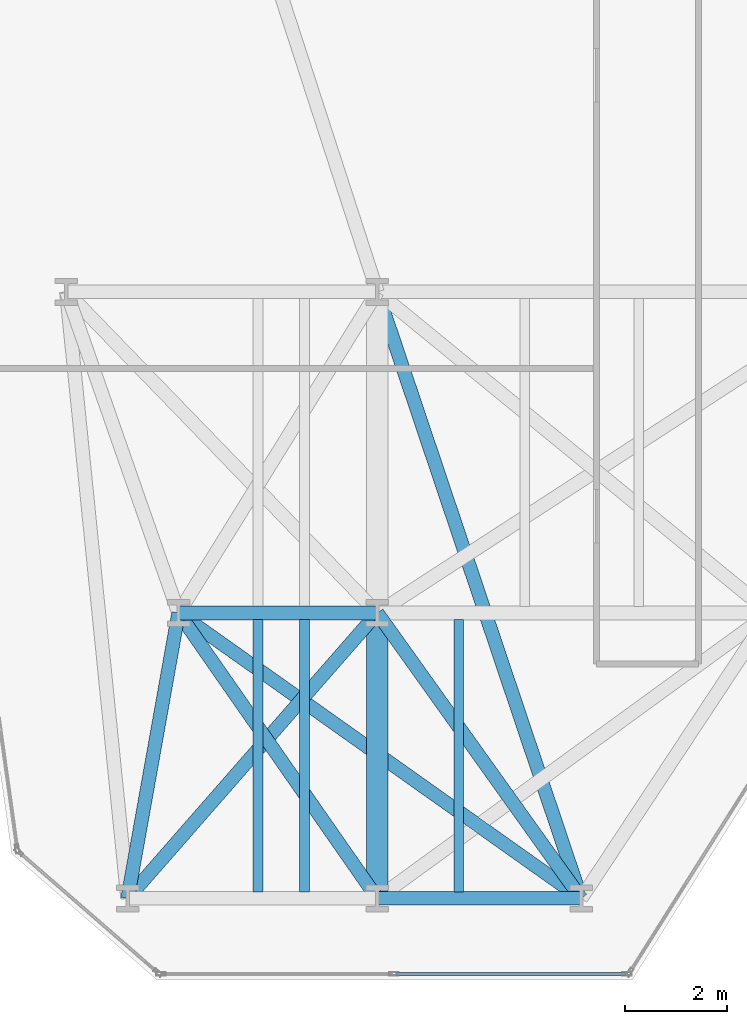
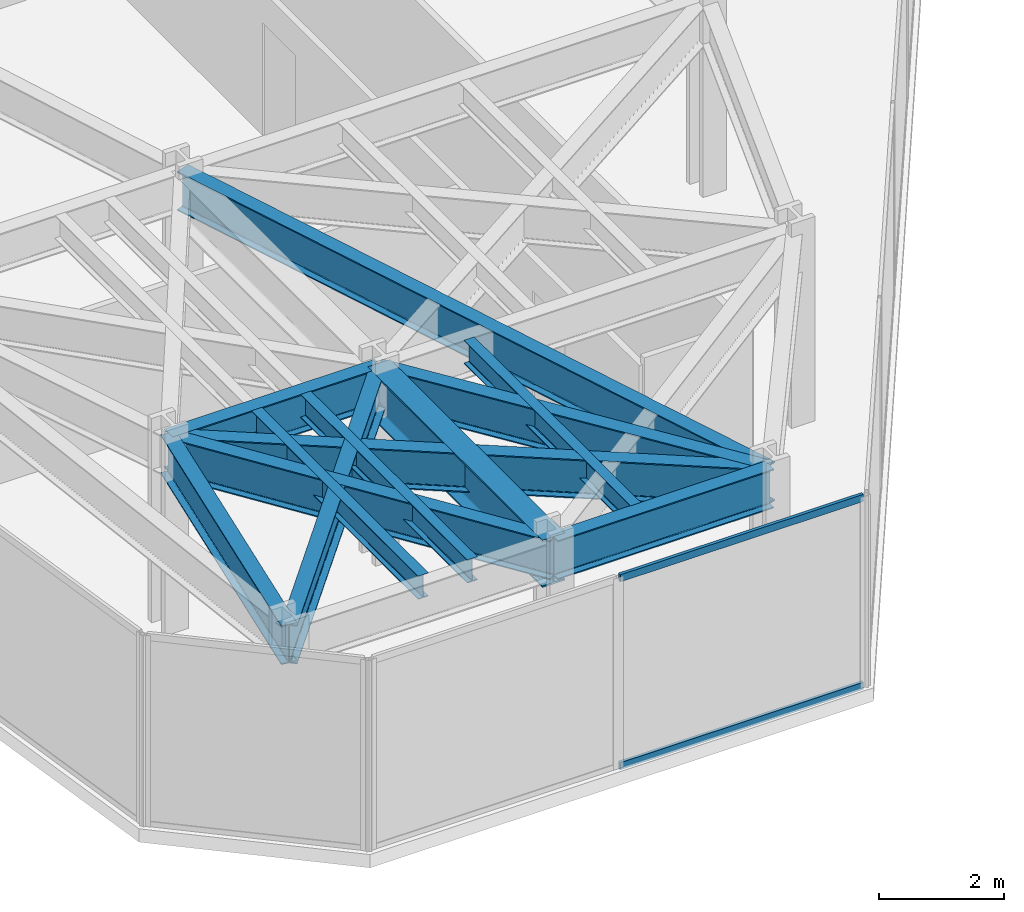
# One storey, part 3 of 24: 12 beams, 2 members, 1 element without a shape of its own.
"""IFC4 building model written with IfcOpenShell, lengths in metres."""

from ifc_helpers import new_model, si_unit, direction, frame, origin, origin_2d, place, context, subcontext, project, spatial, hollow_rectangle, i_section, extrude, material, layer, layer_set, material_profile, profile_set, type_object, element, aggregate, save


model = new_model("IFC4")

# Units and contexts
model_context = context("Model", 3, precision=1e-05, world=origin(), true_north=direction((0.0, 1.0)))
body_context = subcontext(model_context, "Body", "Model", "MODEL_VIEW")
ifc_project = project(units=[si_unit("LENGTHUNIT", "METRE"), si_unit("AREAUNIT", "SQUARE_METRE"), si_unit("VOLUMEUNIT", "CUBIC_METRE"), si_unit("PLANEANGLEUNIT", "RADIAN"), si_unit("MASSUNIT", "GRAM", prefix="KILO")], contexts=[model_context])

# Site, building, storey
site_placement = place(None, origin())
site = spatial("IfcSite", under=ifc_project, at=site_placement, CompositionType="ELEMENT")
building_placement = place(site_placement, origin())
building = spatial("IfcBuilding", under=site, at=building_placement, Name="Kravanh Interchange Tower", CompositionType="ELEMENT")
storey_placement = place(building_placement, frame((0.0, 0.0, 37.5)))
storey = spatial("IfcBuildingStorey", under=building, at=storey_placement, Name="L08", CompositionType="ELEMENT", Elevation=37.5)

# Curtain wall, members
ifc_material_1 = material(Name="Anodised Bronze Aluminium", Category="aluminium")
ifc_layer = layer(ifc_material_1, 0.179931640625)
ifc_layer_set = layer_set([ifc_layer], Name="Unitised Curtain Wall System CW-Z1 Lower Office")
curtain_wall_type = type_object("IfcCurtainWallType", Name="Unitised Curtain Wall System CW-Z1 Lower Office", PredefinedType="NOTDEFINED", material=ifc_layer_set)
curtain_wall_placement = place(storey_placement, origin())
curtain_wall = element("IfcCurtainWall", 1, at=curtain_wall_placement, inside=storey, type_object=curtain_wall_type, Name="L08 Unitised Curtain Wall CW-L08-06", PredefinedType="NOTDEFINED")
ifc_material_2 = material(Name="Anodised Bronze Aluminium", Category="aluminium")
ifc_material_profile_1 = material_profile(ifc_material_2, hollow_rectangle(XDim=0.06005859375, YDim=0.139892578125, WallThickness=0.00390625, at=origin_2d()), Name="ALU60X140X4")
ifc_profile_set_1 = profile_set([ifc_material_profile_1], Name="Anodised Bronze Aluminium")
member_type = type_object("IfcMemberType", Name="Curtain Wall Transom ALU60X140X4 Bronze", PredefinedType="USERDEFINED", material=ifc_profile_set_1)
member_1_placement = place(storey_placement, frame((22.36376953125, 1.1201171875, 0.030029296875), z_axis=(-1.0, 0.0, 0.0), x_axis=(0.0, -1.0, 0.0)))
member_1 = element("IfcMember", 2, at=member_1_placement, type_object=member_type, Name="CW-Z1 transom 1.1", ObjectType="TRANSOM", PredefinedType="USERDEFINED", context=body_context, shape_type="SweptSolid", body=[
    extrude(hollow_rectangle(XDim=0.06005859375, YDim=0.139892578125, WallThickness=0.00390625, at=origin_2d()), origin(), (0.0, 0.0, 1.0), 4.50146484375),
])
member_2_placement = place(storey_placement, frame((22.36376953125, 1.1201171875, 3.7099609375), z_axis=(-1.0, 0.0, 0.0), x_axis=(0.0, -1.0, 0.0)))
member_2 = element("IfcMember", 3, at=member_2_placement, type_object=member_type, Name="CW-Z1 transom 1.2", ObjectType="TRANSOM", PredefinedType="USERDEFINED", context=body_context, shape_type="SweptSolid", body=[
    extrude(hollow_rectangle(XDim=0.06005859375, YDim=0.139892578125, WallThickness=0.00390625, at=origin_2d()), origin(), (0.0, 0.0, 1.0), 4.50146484375),
])
aggregate(curtain_wall, [member_1, member_2])

# Beams
ifc_material_3 = material(Name="Structural Steel S355", Category="steel")
ifc_material_profile_2 = material_profile(ifc_material_3, i_section(OverallWidth=0.41796875, OverallDepth=0.927001953125, WebThickness=0.019287109375, FlangeThickness=0.031982421875, FilletRadius=0.028076171875, at=origin_2d()), Name="W36X231")
ifc_profile_set_2 = profile_set([ifc_material_profile_2], Name="Structural Steel S355")
beam_type_1 = type_object("IfcBeamType", Name="Floor Beam W36X231 Structural Steel S355", PredefinedType="BEAM", material=ifc_profile_set_2)
beam_1_placement = place(storey_placement, frame((17.5, 2.60009765625, 3.276611328125), z_axis=(0.0, 1.0, 0.0), x_axis=(-1.0, 0.0, 0.0)))
element("IfcBeam", 4, at=beam_1_placement, inside=storey, type_object=beam_type_1, Name="L08 Primary Floor Girder 103", PredefinedType="BEAM", context=body_context, shape_type="SweptSolid", body=[
    extrude(i_section(OverallWidth=0.41796875, OverallDepth=0.927001953125, WebThickness=0.019287109375, FlangeThickness=0.031982421875, FilletRadius=0.028076171875, at=origin_2d()), origin(), (0.0, 0.0, 1.0), 5.599853515625),
])
ifc_material_4 = material(Name="Structural Steel S355", Category="steel")
ifc_material_profile_3 = material_profile(ifc_material_4, i_section(OverallWidth=0.18994140625, OverallDepth=0.45703125, WebThickness=0.009033203125, FlangeThickness=0.014404296875, FilletRadius=0.01806640625, at=origin_2d()), Name="W18X50")
ifc_profile_set_3 = profile_set([ifc_material_profile_3], Name="Structural Steel S355")
beam_type_2 = type_object("IfcBeamType", Name="Floor Joist W18X50 Structural Steel S355", PredefinedType="JOIST", material=ifc_profile_set_3)
for number, where, z_axis, x_axis, name in (
    (5, (15.159912109375, 2.728515625, 3.511474609375), (0.0, 1.0, 0.0), (-1.0, 0.0, 0.0), "L08 Secondary Floor Joist 1"),
    (6, (16.070068359375, 2.728515625, 3.511474609375), (0.0, 1.0, 0.0), (-1.0, 0.0, 0.0), "L08 Secondary Floor Joist 2"),
    (7, (19.094970703125, 2.728515625, 3.511474609375), (0.0, 1.0, 0.0), (-1.0, 0.0, 0.0), "L08 Secondary Floor Joist 3"),
):
    element("IfcBeam", number, at=place(storey_placement, frame(where, z_axis=z_axis, x_axis=x_axis)), inside=storey, type_object=beam_type_2, Name=name, PredefinedType="JOIST", context=body_context, shape_type="SweptSolid", body=[
        extrude(i_section(OverallWidth=0.18994140625, OverallDepth=0.45703125, WebThickness=0.009033203125, FlangeThickness=0.014404296875, FilletRadius=0.01806640625, at=origin_2d()), origin(), (0.0, 0.0, 1.0), 5.343017578125),
    ])
ifc_material_5 = material(Name="Structural Steel S355", Category="steel")
ifc_material_profile_4 = material_profile(ifc_material_5, i_section(OverallWidth=0.26708984375, OverallDepth=0.761962890625, WebThickness=0.014404296875, FlangeThickness=0.021484375, FilletRadius=0.02490234375, at=origin_2d()), Name="W30X116")
ifc_profile_set_4 = profile_set([ifc_material_profile_4], Name="Structural Steel S355")
beam_type_3 = type_object("IfcBeamType", Name="Floor Spandrel W30X116 Structural Steel S355", PredefinedType="SPANDREL", material=ifc_profile_set_4)
beam_2_placement = place(storey_placement, frame((12.60009765625, 2.60009765625, 3.35888671875), z_axis=(0.175795094814, 0.984426779725, 0.0), x_axis=(-0.984426779725, 0.175795094814, 0.0)))
element("IfcBeam", 8, at=beam_2_placement, inside=storey, type_object=beam_type_3, Name="L08 Perimeter Spandrel 39", PredefinedType="SPANDREL", context=body_context, shape_type="SweptSolid", body=[
    extrude(i_section(OverallWidth=0.26708984375, OverallDepth=0.761962890625, WebThickness=0.014404296875, FlangeThickness=0.021484375, FilletRadius=0.02490234375, at=origin_2d()), origin(), (0.0, 0.0, 1.0), 5.6884765625),
])
beam_3_placement = place(storey_placement, frame((12.60009765625, 2.60009765625, 3.35888671875), z_axis=(0.658506930733, 0.752574662194, 0.0), x_axis=(-0.752574662194, 0.658506930733, 0.0)))
element("IfcBeam", 9, at=beam_3_placement, inside=storey, type_object=beam_type_3, Name="L08 Perimeter Spandrel 40", PredefinedType="SPANDREL", context=body_context, shape_type="SweptSolid", body=[
    extrude(i_section(OverallWidth=0.26708984375, OverallDepth=0.761962890625, WebThickness=0.014404296875, FlangeThickness=0.021484375, FilletRadius=0.02490234375, at=origin_2d()), origin(), (0.0, 0.0, 1.0), 7.44091796875),
])
beam_4_placement = place(storey_placement, frame((17.5, 2.60009765625, 3.35888671875), z_axis=(1.0, 0.0, 0.0), x_axis=(0.0, 1.0, 0.0)))
element("IfcBeam", 10, at=beam_4_placement, inside=storey, type_object=beam_type_3, Name="L08 Perimeter Spandrel 102", PredefinedType="SPANDREL", context=body_context, shape_type="SweptSolid", body=[
    extrude(i_section(OverallWidth=0.26708984375, OverallDepth=0.761962890625, WebThickness=0.014404296875, FlangeThickness=0.021484375, FilletRadius=0.02490234375, at=origin_2d()), origin(), (0.0, 0.0, 1.0), 4.0),
])
beam_5_placement = place(storey_placement, frame((17.5, 2.60009765625, 3.35888671875), z_axis=(-0.571494183969, 0.820606116045, 0.0), x_axis=(-0.820606116045, -0.571494183969, 0.0)))
element("IfcBeam", 11, at=beam_5_placement, inside=storey, type_object=beam_type_3, Name="L08 Perimeter Spandrel 104", PredefinedType="SPANDREL", context=body_context, shape_type="SweptSolid", body=[
    extrude(i_section(OverallWidth=0.26708984375, OverallDepth=0.761962890625, WebThickness=0.014404296875, FlangeThickness=0.021484375, FilletRadius=0.02490234375, at=origin_2d()), origin(), (0.0, 0.0, 1.0), 6.823974609375),
])
beam_6_placement = place(storey_placement, frame((21.5, 2.60009765625, 3.35888671875), z_axis=(-0.581248261352, 0.813726279946, 0.0), x_axis=(-0.813726279946, -0.581248261352, 0.0)))
element("IfcBeam", 12, at=beam_6_placement, inside=storey, type_object=beam_type_3, Name="L08 Perimeter Spandrel 122", PredefinedType="SPANDREL", context=body_context, shape_type="SweptSolid", body=[
    extrude(i_section(OverallWidth=0.26708984375, OverallDepth=0.761962890625, WebThickness=0.014404296875, FlangeThickness=0.021484375, FilletRadius=0.02490234375, at=origin_2d()), origin(), (0.0, 0.0, 1.0), 6.8818359375),
])
beam_7_placement = place(storey_placement, frame((21.5, 2.60009765625, 3.35888671875), z_axis=(-0.815825239527, 0.578298520274, 0.0), x_axis=(-0.578298520274, -0.815825239527, 0.0)))
element("IfcBeam", 13, at=beam_7_placement, inside=storey, type_object=beam_type_3, Name="L08 Perimeter Spandrel 123", PredefinedType="SPANDREL", context=body_context, shape_type="SweptSolid", body=[
    extrude(i_section(OverallWidth=0.26708984375, OverallDepth=0.761962890625, WebThickness=0.014404296875, FlangeThickness=0.021484375, FilletRadius=0.02490234375, at=origin_2d()), origin(), (0.0, 0.0, 1.0), 9.683349609375),
])
beam_8_placement = place(storey_placement, frame((21.5, 2.60009765625, 3.35888671875), z_axis=(-0.318618734989, 0.947882957814, 0.0), x_axis=(-0.947882957814, -0.318618734989, 0.0)))
element("IfcBeam", 14, at=beam_8_placement, inside=storey, type_object=beam_type_3, Name="L08 Perimeter Spandrel 124", PredefinedType="SPANDREL", context=body_context, shape_type="SweptSolid", body=[
    extrude(i_section(OverallWidth=0.26708984375, OverallDepth=0.761962890625, WebThickness=0.014404296875, FlangeThickness=0.021484375, FilletRadius=0.02490234375, at=origin_2d()), origin(), (0.0, 0.0, 1.0), 12.55419921875),
])
beam_9_placement = place(storey_placement, frame((13.60009765625, 8.199951171875, 3.35888671875), z_axis=(1.0, 0.0, 0.0), x_axis=(0.0, 1.0, 0.0)))
element("IfcBeam", 15, at=beam_9_placement, inside=storey, type_object=beam_type_3, Name="L08 Perimeter Spandrel 133", PredefinedType="SPANDREL", context=body_context, shape_type="SweptSolid", body=[
    extrude(i_section(OverallWidth=0.26708984375, OverallDepth=0.761962890625, WebThickness=0.014404296875, FlangeThickness=0.021484375, FilletRadius=0.02490234375, at=origin_2d()), origin(), (0.0, 0.0, 1.0), 3.89990234375),
])

save(model, "model.ifc")
